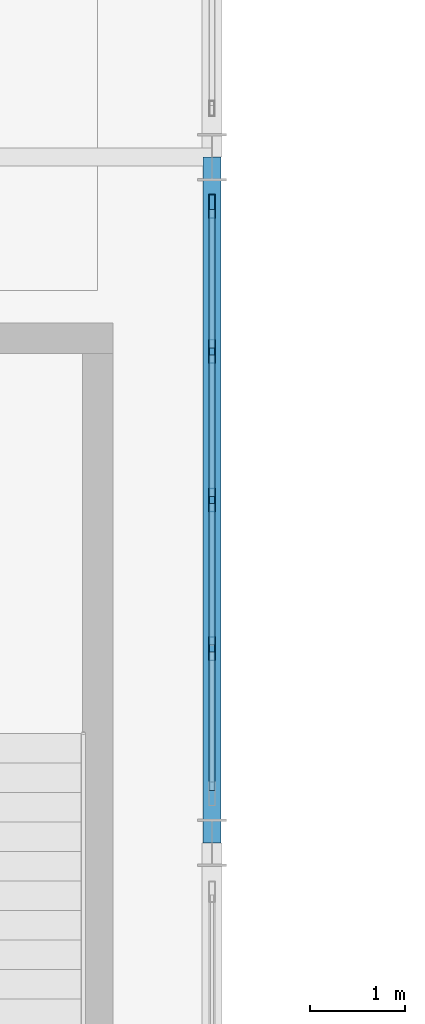
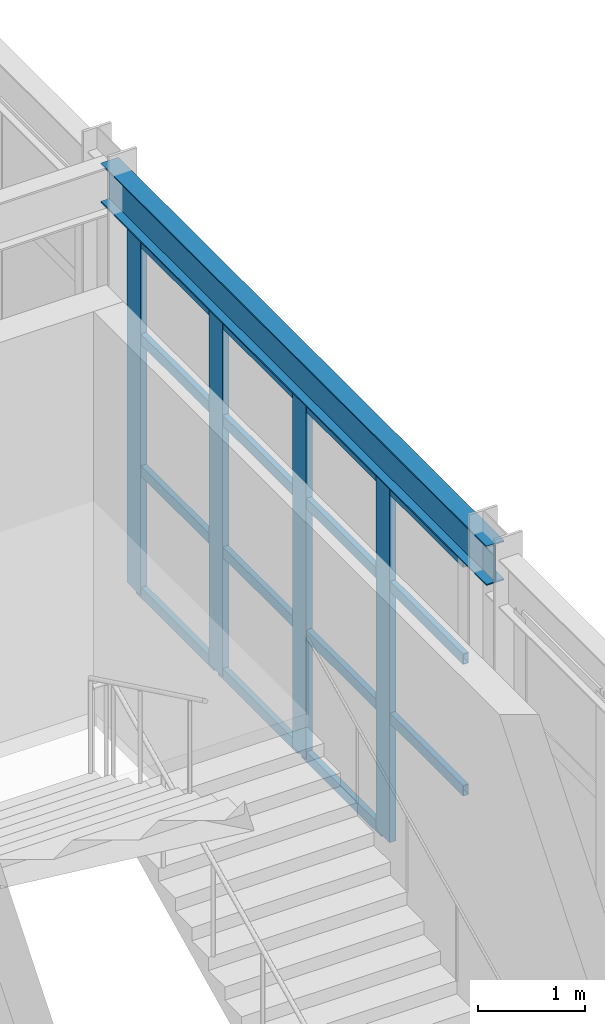
# One storey, part 26 of 121: 19 members, 1 beam, 1 element without a shape of its own.
"""IFC4 building model written with IfcOpenShell, lengths in metres."""

import ifcopenshell
import ifcopenshell.guid

model = None  # the IFC model being written
_history = None  # IfcOwnerHistory: only IFC2X3 demands one
_inside = {}  # id of a spatial element -> (the spatial element, [elements in it])
_under = {}  # id of a project, library or spatial element -> (it, [spatial elements below it])
_declared = {}  # id of a project -> (the project, [libraries it declares])
_typed = {}  # id of a type object -> (the type object, [elements of that type])
_made_of = {}  # id of a material, layer set ... -> (it, [elements and type objects made of it])


def new_model(schema):
    """Start an empty IFC model of exactly this schema.

    Asked for "IFC4X3", IfcOpenShell would pick the latest addendum, in which some entities
    have other attributes; the version numbers below select the first issue.
    IFC2X3 requires an IfcOwnerHistory on every rooted entity: one is made here for all.
    """
    global model, _history
    if schema == "IFC4X3":
        model = ifcopenshell.file(schema_version=(4, 3, 0, 0))
    else:
        model = ifcopenshell.file(schema=schema)
    _inside.clear()
    _under.clear()
    _declared.clear()
    _typed.clear()
    _made_of.clear()
    _history = None
    if model.schema == "IFC2X3":
        org = make("IfcOrganization", Name="unknown")
        user = make(
            "IfcPersonAndOrganization",
            ThePerson=make("IfcPerson", FamilyName="unknown"),
            TheOrganization=org,
        )
        app = make(
            "IfcApplication",
            ApplicationDeveloper=org,
            Version="unknown",
            ApplicationFullName="unknown",
            ApplicationIdentifier="unknown",
        )
        _history = make(
            "IfcOwnerHistory",
            OwningUser=user,
            OwningApplication=app,
            ChangeAction="ADDED",
            CreationDate=0,
        )
    return model


def make(cls, **values):
    """One entity of the class cls with the attributes given. An attribute that is None is left unset."""
    return model.create_entity(
        cls, **{name: value for name, value in values.items() if value is not None}
    )


def rooted(cls, **values):
    """An entity with a GlobalId (a new one), such as an element, a storey or a relation."""
    return make(cls, GlobalId=ifcopenshell.guid.new(), OwnerHistory=_history, **values)


def si_unit(unit_type, name, prefix=None):
    """IfcSIUnit, for example si_unit("LENGTHUNIT", "METRE", prefix="MILLI")."""
    return make("IfcSIUnit", UnitType=unit_type, Prefix=prefix, Name=name)


def assignment(units):
    """IfcUnitAssignment: the units of a project."""
    return None if units is None else make("IfcUnitAssignment", Units=units)


def point(xyz):
    """IfcCartesianPoint."""
    return None if xyz is None else make("IfcCartesianPoint", Coordinates=xyz)


def direction(xyz):
    """IfcDirection."""
    return None if xyz is None else make("IfcDirection", DirectionRatios=xyz)


def frame(location, z_axis=None, x_axis=None):
    """IfcAxis2Placement3D, a coordinate frame: its origin and axes. An axis left out is left unset."""
    return make(
        "IfcAxis2Placement3D",
        Location=point(location),
        Axis=direction(z_axis),
        RefDirection=direction(x_axis),
    )


def frame_2d(location, x_axis=None):
    """IfcAxis2Placement2D, a coordinate frame in the plane: its origin and x axis."""
    return make(
        "IfcAxis2Placement2D", Location=point(location), RefDirection=direction(x_axis)
    )


def origin():
    """The frame at (0, 0, 0) with its axes left unset."""
    return frame((0.0, 0.0, 0.0))


def origin_2d():
    """The frame at (0, 0) in the plane with its x axis left unset."""
    return frame_2d((0.0, 0.0))


def place(relative_to, where):
    """IfcLocalPlacement: puts the frame where relative to a parent placement (None: the world)."""
    return make(
        "IfcLocalPlacement", PlacementRelTo=relative_to, RelativePlacement=where
    )


def context(
    kind, dimensions, precision=None, world=None, true_north=None, identifier=None
):
    """IfcGeometricRepresentationContext, for example the 3D "Model" context."""
    return make(
        "IfcGeometricRepresentationContext",
        ContextIdentifier=identifier,
        ContextType=kind,
        CoordinateSpaceDimension=dimensions,
        Precision=precision,
        WorldCoordinateSystem=world,
        TrueNorth=true_north,
    )


def subcontext(parent, identifier, kind, view, scale=None):
    """IfcGeometricRepresentationSubContext, for example "Body" below "Model"."""
    return make(
        "IfcGeometricRepresentationSubContext",
        ContextIdentifier=identifier,
        ContextType=kind,
        ParentContext=parent,
        TargetScale=scale,
        TargetView=view,
    )


def project(units=None, contexts=None):
    """IfcProject with its units and contexts."""
    return rooted(
        "IfcProject",
        Name="project",
        RepresentationContexts=contexts,
        UnitsInContext=assignment(units),
    )


def spatial(cls, under=None, at=None, **own):
    """A site, building, storey or space (cls), placed at a placement, below another one or the project."""
    s = rooted(cls, ObjectPlacement=at, **own)
    if under is not None:
        _under.setdefault(under.id(), (under, []))[1].append(s)
    return s


def profile(cls, at=None, kind="AREA", **sizes):
    """A parametric profile (cls). Its sizes go by their IFC names, for example OverallWidth=200.0."""
    return make(cls, ProfileType=kind, Position=at, **sizes)


def hollow_rectangle(**sizes):
    """IfcRectangleHollowProfileDef."""
    return profile("IfcRectangleHollowProfileDef", **sizes)


def i_section(**sizes):
    """IfcIShapeProfileDef."""
    return profile("IfcIShapeProfileDef", **sizes)


def extrude(swept, where, along, depth):
    """IfcExtrudedAreaSolid: the profile swept, set in the frame where, extruded along a direction by depth."""
    return make(
        "IfcExtrudedAreaSolid",
        SweptArea=swept,
        Position=where,
        ExtrudedDirection=direction(along),
        Depth=depth,
    )


def shape(context_of_items, identifier, shape_type, items):
    """IfcShapeRepresentation: the items that make up one representation, for example the "Body"."""
    return make(
        "IfcShapeRepresentation",
        ContextOfItems=context_of_items,
        RepresentationIdentifier=identifier,
        RepresentationType=shape_type,
        Items=items,
    )


def material(Name=None, Category=None):
    """IfcMaterial."""
    return make("IfcMaterial", Name=Name, Category=Category)


def layer(
    of_material, thickness, ventilated=None, Name=None, Category=None, Priority=None
):
    """IfcMaterialLayer: one layer of a wall or slab, of a material (None: an air gap)."""
    return make(
        "IfcMaterialLayer",
        Material=of_material,
        LayerThickness=thickness,
        IsVentilated=ventilated,
        Name=Name,
        Category=Category,
        Priority=Priority,
    )


def layer_set(layers, Name=None):
    """IfcMaterialLayerSet."""
    return make("IfcMaterialLayerSet", MaterialLayers=layers, LayerSetName=Name)


def material_profile(
    of_material, cross_section, Name=None, Category=None, Priority=None
):
    """IfcMaterialProfile: a cross section and its material."""
    return make(
        "IfcMaterialProfile",
        Name=Name,
        Material=of_material,
        Profile=cross_section,
        Priority=Priority,
        Category=Category,
    )


def profile_set(profiles, Name=None, composite=None):
    """IfcMaterialProfileSet."""
    return make(
        "IfcMaterialProfileSet",
        Name=Name,
        MaterialProfiles=profiles,
        CompositeProfile=composite,
    )


def made_of(thing, what):
    """Note that an element or type object is made of a material, layer set ...; save() writes the relation."""
    if what is not None:
        _made_of.setdefault(what.id(), (what, []))[1].append(thing)
    return thing


def type_object(cls, material=None, **own):
    """A type object (cls), such as IfcWallType, which elements share."""
    return made_of(rooted(cls, **own), material)


def element(
    cls,
    number,
    at=None,
    inside=None,
    cuts=None,
    type_object=None,
    material=None,
    context=None,
    identifier="Body",
    shape_type=None,
    held_by="IfcProductDefinitionShape",
    body=None,
    shapes=None,
    **own,
):
    """One element of the class cls, such as IfcWall. Its Tag is "e" and its number.

    at: its placement. inside: the storey or other place that contains it. cuts: it is an
    opening in that element (IfcRelVoidsElement). A single representation is given by context,
    identifier, shape_type and body (its items); several are given by shapes. held_by: the class
    of the entity that holds the representations. save() writes the other relations.
    """
    e = rooted(cls, Tag="e%d" % number, ObjectPlacement=at, **own)
    if body is not None:
        shapes = [shape(context, identifier, shape_type, body)]
    if shapes is not None:
        e.Representation = make(held_by, Representations=shapes)
    if inside is not None:
        _inside.setdefault(inside.id(), (inside, []))[1].append(e)
    if cuts is not None:
        rooted(
            "IfcRelVoidsElement", RelatingBuildingElement=cuts, RelatedOpeningElement=e
        )
    if type_object is not None:
        _typed.setdefault(type_object.id(), (type_object, []))[1].append(e)
    return made_of(e, material)


def aggregate(whole, parts):
    """IfcRelAggregates: a whole, such as a stair, and the parts it consists of."""
    return rooted("IfcRelAggregates", RelatingObject=whole, RelatedObjects=parts)


def save(model, path):
    """Write the relations noted so far, then the file.

    IfcRelAggregates (storeys below a building ...), IfcRelContainedInSpatialStructure (elements
    in a storey), IfcRelDefinesByType, IfcRelAssociatesMaterial and IfcRelDeclares: one each for
    every whole, place, type object, material and project.
    """
    for whole, parts in _under.values():
        aggregate(whole, parts)
    for where, things in _inside.values():
        rooted(
            "IfcRelContainedInSpatialStructure",
            RelatedElements=things,
            RelatingStructure=where,
        )
    for kind, things in _typed.values():
        rooted("IfcRelDefinesByType", RelatedObjects=things, RelatingType=kind)
    for what, things in _made_of.values():
        rooted("IfcRelAssociatesMaterial", RelatedObjects=things, RelatingMaterial=what)
    for by, libraries in _declared.values():
        rooted("IfcRelDeclares", RelatingContext=by, RelatedDefinitions=libraries)
    model.write(path)


model = new_model("IFC4")

# Units and contexts
model_context = context("Model", 3, precision=1e-05, world=origin(), true_north=direction((0.0, 1.0)))
body_context = subcontext(model_context, "Body", "Model", "MODEL_VIEW")
ifc_project = project(units=[si_unit("LENGTHUNIT", "METRE"), si_unit("AREAUNIT", "SQUARE_METRE"), si_unit("VOLUMEUNIT", "CUBIC_METRE"), si_unit("PLANEANGLEUNIT", "RADIAN"), si_unit("MASSUNIT", "GRAM", prefix="KILO")], contexts=[model_context])

# Site, building, storey
site_placement = place(None, origin())
site = spatial("IfcSite", under=ifc_project, at=site_placement, CompositionType="ELEMENT")
building_placement = place(site_placement, origin())
building = spatial("IfcBuilding", under=site, at=building_placement, Name="Solvadek Multi-Sports Hall", CompositionType="ELEMENT")
storey_placement = place(building_placement, frame((0.0, 0.0, 4.800048828125)))
storey = spatial("IfcBuildingStorey", under=building, at=storey_placement, Name="L01", CompositionType="ELEMENT", Elevation=4.800048828125)

# Curtain wall, members
ifc_material_1 = material(Name="Anodised aluminium", Category="aluminium")
ifc_layer = layer(ifc_material_1, 0.159912109375, Name="Anodised aluminium")
ifc_layer_set = layer_set([ifc_layer], Name="Anodised aluminium")
curtain_wall_type = type_object("IfcCurtainWallType", Name="ENV-CW-624X405", PredefinedType="USERDEFINED", material=ifc_layer_set)
curtain_wall_placement = place(storey_placement, origin())
curtain_wall = element("IfcCurtainWall", 1, at=curtain_wall_placement, inside=storey, type_object=curtain_wall_type, Name="L01 Perimeter Bay Curtain Wall #187", ObjectType="CURTAIN WALL", PredefinedType="USERDEFINED")
ifc_material_profile_1 = material_profile(ifc_material_1, hollow_rectangle(XDim=0.070068359375, YDim=0.25, WallThickness=0.0048828125, at=origin_2d()), Name="ALU-M 250x70x5")
ifc_profile_set_1 = profile_set([ifc_material_profile_1], Name="Anodised aluminium")
member_type_1 = type_object("IfcMemberType", Name="ENV-CWM-05", PredefinedType="MULLION", material=ifc_profile_set_1)
member_1_placement = place(storey_placement, frame((21.60009765625, 29.639892578125, 0.0), z_axis=(0.0, 0.0, 1.0), x_axis=(-1.0, 0.0, 0.0)))
member_1 = element("IfcMember", 2, at=member_1_placement, type_object=member_type_1, Name="CW-52 mullion 2", PredefinedType="MULLION", context=body_context, shape_type="SweptSolid", body=[
    extrude(hollow_rectangle(XDim=0.070068359375, YDim=0.25, WallThickness=0.0048828125, at=origin_2d()), origin(), (0.0, 0.0, 1.0), 4.050048828125),
])
member_2_placement = place(storey_placement, frame((21.60009765625, 31.199951171875, 0.0), z_axis=(0.0, 0.0, 1.0), x_axis=(-1.0, 0.0, 0.0)))
member_2 = element("IfcMember", 3, at=member_2_placement, type_object=member_type_1, Name="CW-52 mullion 3", PredefinedType="MULLION", context=body_context, shape_type="SweptSolid", body=[
    extrude(hollow_rectangle(XDim=0.070068359375, YDim=0.25, WallThickness=0.0048828125, at=origin_2d()), origin(), (0.0, 0.0, 1.0), 4.050048828125),
])
member_3_placement = place(storey_placement, frame((21.60009765625, 32.760009765625, 0.0), z_axis=(0.0, 0.0, 1.0), x_axis=(-1.0, 0.0, 0.0)))
member_3 = element("IfcMember", 4, at=member_3_placement, type_object=member_type_1, Name="CW-52 mullion 4", PredefinedType="MULLION", context=body_context, shape_type="SweptSolid", body=[
    extrude(hollow_rectangle(XDim=0.070068359375, YDim=0.25, WallThickness=0.0048828125, at=origin_2d()), origin(), (0.0, 0.0, 1.0), 4.050048828125),
])
member_4_placement = place(storey_placement, frame((21.60009765625, 34.284912109375, 0.0), z_axis=(0.0, 0.0, 1.0), x_axis=(-1.0, 0.0, 0.0)))
member_4 = element("IfcMember", 5, at=member_4_placement, type_object=member_type_1, Name="CW-52 mullion 5", PredefinedType="MULLION", context=body_context, shape_type="SweptSolid", body=[
    extrude(hollow_rectangle(XDim=0.070068359375, YDim=0.25, WallThickness=0.0048828125, at=origin_2d()), origin(), (0.0, 0.0, 1.0), 4.050048828125),
])
ifc_material_profile_2 = material_profile(ifc_material_1, hollow_rectangle(XDim=0.06005859375, YDim=0.1201171875, WallThickness=0.00390625, at=origin_2d()), Name="ALU-T 120x60x4")
ifc_profile_set_2 = profile_set([ifc_material_profile_2], Name="Anodised aluminium")
member_type_2 = type_object("IfcMemberType", Name="ENV-CWT-01", PredefinedType="USERDEFINED", material=ifc_profile_set_2)
member_5_placement = place(storey_placement, frame((21.60009765625, 28.14990234375, 1.4169921875), z_axis=(0.0, 1.0, 0.0), x_axis=(-1.0, 0.0, 0.0)))
member_5 = element("IfcMember", 6, at=member_5_placement, type_object=member_type_2, Name="CW-52 transom 1.2", ObjectType="TRANSOM", PredefinedType="USERDEFINED", context=body_context, shape_type="SweptSolid", body=[
    extrude(hollow_rectangle(XDim=0.06005859375, YDim=0.1201171875, WallThickness=0.00390625, at=origin_2d()), origin(), (0.0, 0.0, 1.0), 1.455078125),
])
member_6_placement = place(storey_placement, frame((21.60009765625, 28.14990234375, 2.916015625), z_axis=(0.0, 1.0, 0.0), x_axis=(-1.0, 0.0, 0.0)))
member_6 = element("IfcMember", 7, at=member_6_placement, type_object=member_type_2, Name="CW-52 transom 1.3", ObjectType="TRANSOM", PredefinedType="USERDEFINED", context=body_context, shape_type="SweptSolid", body=[
    extrude(hollow_rectangle(XDim=0.06005859375, YDim=0.1201171875, WallThickness=0.00390625, at=origin_2d()), origin(), (0.0, 0.0, 1.0), 1.455078125),
])
member_7_placement = place(storey_placement, frame((21.60009765625, 28.14990234375, 4.02001953125), z_axis=(0.0, 1.0, 0.0), x_axis=(-1.0, 0.0, 0.0)))
member_7 = element("IfcMember", 8, at=member_7_placement, type_object=member_type_2, Name="CW-52 transom 1.4", ObjectType="TRANSOM", PredefinedType="USERDEFINED", context=body_context, shape_type="SweptSolid", body=[
    extrude(hollow_rectangle(XDim=0.06005859375, YDim=0.1201171875, WallThickness=0.00390625, at=origin_2d()), origin(), (0.0, 0.0, 1.0), 1.455078125),
])
member_8_placement = place(storey_placement, frame((21.60009765625, 29.675048828125, 0.030029296875), z_axis=(0.0, 1.0, 0.0), x_axis=(-1.0, 0.0, 0.0)))
member_8 = element("IfcMember", 9, at=member_8_placement, type_object=member_type_2, Name="CW-52 transom 2.1", ObjectType="TRANSOM", PredefinedType="USERDEFINED", context=body_context, shape_type="SweptSolid", body=[
    extrude(hollow_rectangle(XDim=0.06005859375, YDim=0.1201171875, WallThickness=0.00390625, at=origin_2d()), origin(), (0.0, 0.0, 1.0), 1.489990234375),
])
member_9_placement = place(storey_placement, frame((21.60009765625, 29.675048828125, 1.4169921875), z_axis=(0.0, 1.0, 0.0), x_axis=(-1.0, 0.0, 0.0)))
member_9 = element("IfcMember", 10, at=member_9_placement, type_object=member_type_2, Name="CW-52 transom 2.2", ObjectType="TRANSOM", PredefinedType="USERDEFINED", context=body_context, shape_type="SweptSolid", body=[
    extrude(hollow_rectangle(XDim=0.06005859375, YDim=0.1201171875, WallThickness=0.00390625, at=origin_2d()), origin(), (0.0, 0.0, 1.0), 1.489990234375),
])
member_10_placement = place(storey_placement, frame((21.60009765625, 29.675048828125, 2.916015625), z_axis=(0.0, 1.0, 0.0), x_axis=(-1.0, 0.0, 0.0)))
member_10 = element("IfcMember", 11, at=member_10_placement, type_object=member_type_2, Name="CW-52 transom 2.3", ObjectType="TRANSOM", PredefinedType="USERDEFINED", context=body_context, shape_type="SweptSolid", body=[
    extrude(hollow_rectangle(XDim=0.06005859375, YDim=0.1201171875, WallThickness=0.00390625, at=origin_2d()), origin(), (0.0, 0.0, 1.0), 1.489990234375),
])
member_11_placement = place(storey_placement, frame((21.60009765625, 29.675048828125, 4.02001953125), z_axis=(0.0, 1.0, 0.0), x_axis=(-1.0, 0.0, 0.0)))
member_11 = element("IfcMember", 12, at=member_11_placement, type_object=member_type_2, Name="CW-52 transom 2.4", ObjectType="TRANSOM", PredefinedType="USERDEFINED", context=body_context, shape_type="SweptSolid", body=[
    extrude(hollow_rectangle(XDim=0.06005859375, YDim=0.1201171875, WallThickness=0.00390625, at=origin_2d()), origin(), (0.0, 0.0, 1.0), 1.489990234375),
])
member_12_placement = place(storey_placement, frame((21.60009765625, 31.235107421875, 0.030029296875), z_axis=(0.0, 1.0, 0.0), x_axis=(-1.0, 0.0, 0.0)))
member_12 = element("IfcMember", 13, at=member_12_placement, type_object=member_type_2, Name="CW-52 transom 3.1", ObjectType="TRANSOM", PredefinedType="USERDEFINED", context=body_context, shape_type="SweptSolid", body=[
    extrude(hollow_rectangle(XDim=0.06005859375, YDim=0.1201171875, WallThickness=0.00390625, at=origin_2d()), origin(), (0.0, 0.0, 1.0), 1.489990234375),
])
member_13_placement = place(storey_placement, frame((21.60009765625, 31.235107421875, 1.4169921875), z_axis=(0.0, 1.0, 0.0), x_axis=(-1.0, 0.0, 0.0)))
member_13 = element("IfcMember", 14, at=member_13_placement, type_object=member_type_2, Name="CW-52 transom 3.2", ObjectType="TRANSOM", PredefinedType="USERDEFINED", context=body_context, shape_type="SweptSolid", body=[
    extrude(hollow_rectangle(XDim=0.06005859375, YDim=0.1201171875, WallThickness=0.00390625, at=origin_2d()), origin(), (0.0, 0.0, 1.0), 1.489990234375),
])
member_14_placement = place(storey_placement, frame((21.60009765625, 31.235107421875, 2.916015625), z_axis=(0.0, 1.0, 0.0), x_axis=(-1.0, 0.0, 0.0)))
member_14 = element("IfcMember", 15, at=member_14_placement, type_object=member_type_2, Name="CW-52 transom 3.3", ObjectType="TRANSOM", PredefinedType="USERDEFINED", context=body_context, shape_type="SweptSolid", body=[
    extrude(hollow_rectangle(XDim=0.06005859375, YDim=0.1201171875, WallThickness=0.00390625, at=origin_2d()), origin(), (0.0, 0.0, 1.0), 1.489990234375),
])
member_15_placement = place(storey_placement, frame((21.60009765625, 31.235107421875, 4.02001953125), z_axis=(0.0, 1.0, 0.0), x_axis=(-1.0, 0.0, 0.0)))
member_15 = element("IfcMember", 16, at=member_15_placement, type_object=member_type_2, Name="CW-52 transom 3.4", ObjectType="TRANSOM", PredefinedType="USERDEFINED", context=body_context, shape_type="SweptSolid", body=[
    extrude(hollow_rectangle(XDim=0.06005859375, YDim=0.1201171875, WallThickness=0.00390625, at=origin_2d()), origin(), (0.0, 0.0, 1.0), 1.489990234375),
])
member_16_placement = place(storey_placement, frame((21.60009765625, 32.794921875, 0.030029296875), z_axis=(0.0, 1.0, 0.0), x_axis=(-1.0, 0.0, 0.0)))
member_16 = element("IfcMember", 17, at=member_16_placement, type_object=member_type_2, Name="CW-52 transom 4.1", ObjectType="TRANSOM", PredefinedType="USERDEFINED", context=body_context, shape_type="SweptSolid", body=[
    extrude(hollow_rectangle(XDim=0.06005859375, YDim=0.1201171875, WallThickness=0.00390625, at=origin_2d()), origin(), (0.0, 0.0, 1.0), 1.455078125),
])
member_17_placement = place(storey_placement, frame((21.60009765625, 32.794921875, 1.4169921875), z_axis=(0.0, 1.0, 0.0), x_axis=(-1.0, 0.0, 0.0)))
member_17 = element("IfcMember", 18, at=member_17_placement, type_object=member_type_2, Name="CW-52 transom 4.2", ObjectType="TRANSOM", PredefinedType="USERDEFINED", context=body_context, shape_type="SweptSolid", body=[
    extrude(hollow_rectangle(XDim=0.06005859375, YDim=0.1201171875, WallThickness=0.00390625, at=origin_2d()), origin(), (0.0, 0.0, 1.0), 1.455078125),
])
member_18_placement = place(storey_placement, frame((21.60009765625, 32.794921875, 2.916015625), z_axis=(0.0, 1.0, 0.0), x_axis=(-1.0, 0.0, 0.0)))
member_18 = element("IfcMember", 19, at=member_18_placement, type_object=member_type_2, Name="CW-52 transom 4.3", ObjectType="TRANSOM", PredefinedType="USERDEFINED", context=body_context, shape_type="SweptSolid", body=[
    extrude(hollow_rectangle(XDim=0.06005859375, YDim=0.1201171875, WallThickness=0.00390625, at=origin_2d()), origin(), (0.0, 0.0, 1.0), 1.455078125),
])
member_19_placement = place(storey_placement, frame((21.60009765625, 32.794921875, 4.02001953125), z_axis=(0.0, 1.0, 0.0), x_axis=(-1.0, 0.0, 0.0)))
member_19 = element("IfcMember", 20, at=member_19_placement, type_object=member_type_2, Name="CW-52 transom 4.4", ObjectType="TRANSOM", PredefinedType="USERDEFINED", context=body_context, shape_type="SweptSolid", body=[
    extrude(hollow_rectangle(XDim=0.06005859375, YDim=0.1201171875, WallThickness=0.00390625, at=origin_2d()), origin(), (0.0, 0.0, 1.0), 1.455078125),
])
aggregate(curtain_wall, [member_1, member_2, member_3, member_4, member_5, member_6, member_7, member_8, member_9, member_10, member_11, member_12, member_13, member_14, member_15, member_16, member_17, member_18, member_19])

# Beam
ifc_material_2 = material(Name="Steel E350 (350 MPa)", Category="steel")
ifc_material_profile_3 = material_profile(ifc_material_2, i_section(OverallWidth=0.18994140625, OverallDepth=0.449951171875, WebThickness=0.009521484375, FlangeThickness=0.0146484375, at=origin_2d()), Name="NPB 450")
ifc_profile_set_3 = profile_set([ifc_material_profile_3], Name="Steel E350 (350 MPa)")
beam_type = type_object("IfcBeamType", Name="STR-BM-NPB450", PredefinedType="BEAM", material=ifc_profile_set_3)
beam_placement = place(storey_placement, frame((21.60009765625, 27.60009765625, 4.3349609375), z_axis=(0.0, 1.0, 0.0), x_axis=(-1.0, 0.0, 0.0)))
element("IfcBeam", 21, at=beam_placement, inside=storey, type_object=beam_type, Name="L01 Girder B-08 #1152", PredefinedType="BEAM", context=body_context, shape_type="SweptSolid", body=[
    extrude(i_section(OverallWidth=0.18994140625, OverallDepth=0.449951171875, WebThickness=0.009521484375, FlangeThickness=0.0146484375, at=origin_2d()), origin(), (0.0, 0.0, 1.0), 7.199951171875),
])

save(model, "model.ifc")
